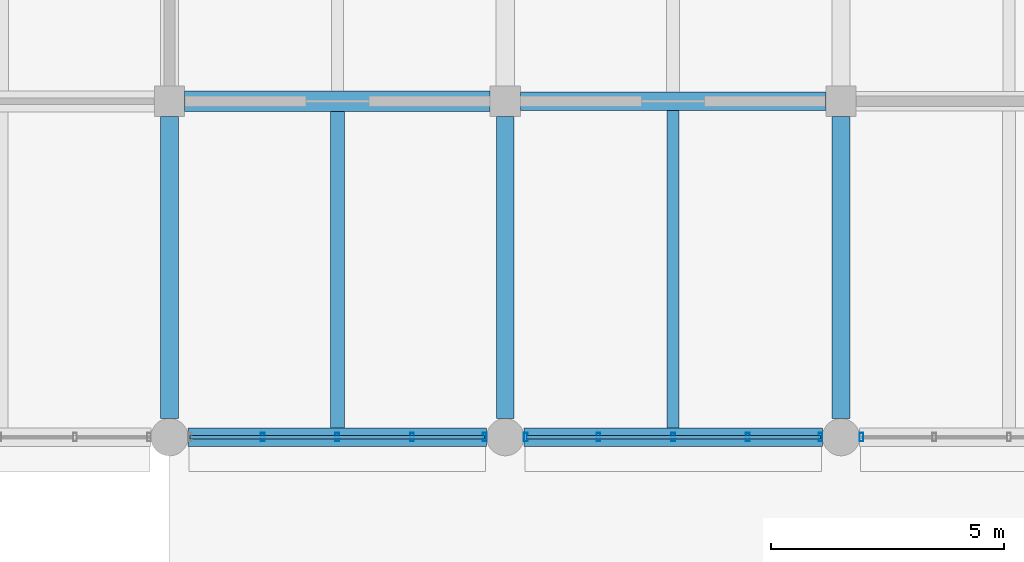
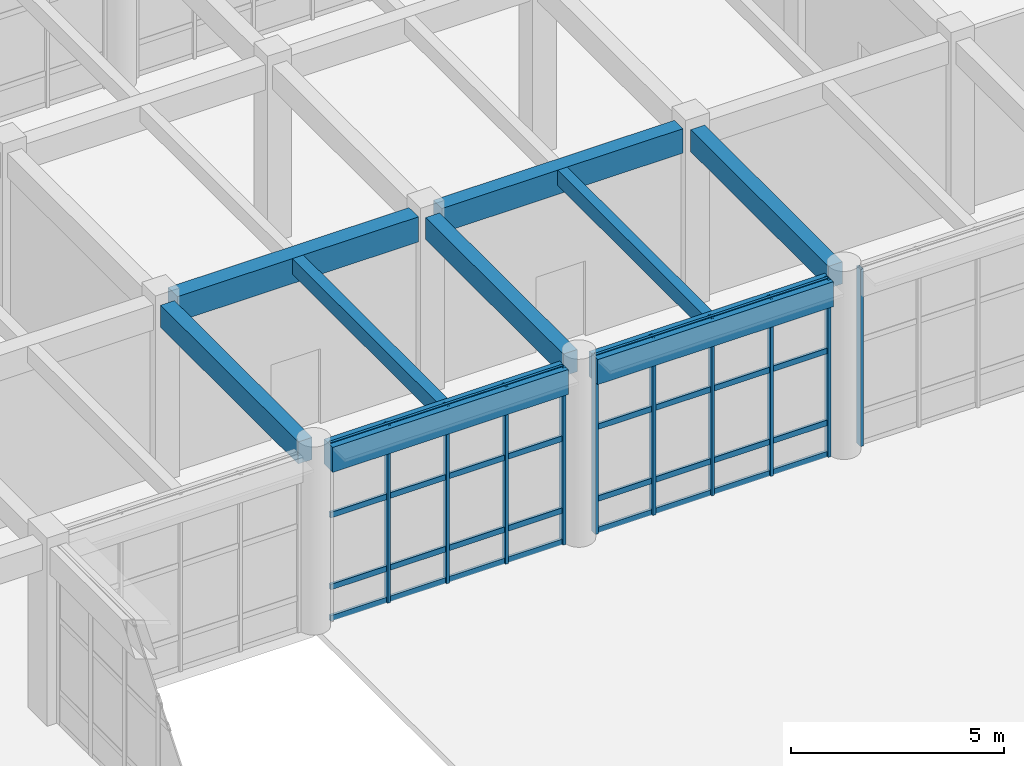
# One storey, part 26 of 160: 18 members, 9 beams, 3 elements without a shape of their own.
"""IFC4 building model written with IfcOpenShell, lengths in metres."""

from ifc_helpers import new_model, si_unit, direction, frame, origin, origin_2d, place, context, subcontext, project, spatial, rectangle, hollow_rectangle, extrude, material, material_profile, profile_set, type_object, element, aggregate, save


model = new_model("IFC4")

# Units and contexts
model_context = context("Model", 3, precision=1e-05, world=origin(), true_north=direction((0.0, 1.0)))
body_context = subcontext(model_context, "Body", "Model", "MODEL_VIEW")
ifc_project = project(units=[si_unit("LENGTHUNIT", "METRE"), si_unit("AREAUNIT", "SQUARE_METRE"), si_unit("VOLUMEUNIT", "CUBIC_METRE"), si_unit("PLANEANGLEUNIT", "RADIAN"), si_unit("MASSUNIT", "GRAM", prefix="KILO")], contexts=[model_context])

# Site, building, storey
site_placement = place(None, origin())
site = spatial("IfcSite", under=ifc_project, at=site_placement, CompositionType="ELEMENT")
building_placement = place(site_placement, origin())
building = spatial("IfcBuilding", under=site, at=building_placement, Name="Thalmaran Polytechnic", CompositionType="ELEMENT")
storey_placement = place(building_placement, origin())
storey = spatial("IfcBuildingStorey", under=building, at=storey_placement, Name="L00", CompositionType="ELEMENT", Elevation=0.0)

# Beams
ifc_material_1 = material(Name="Concrete C40/50", Category="concrete")
ifc_material_profile_1 = material_profile(ifc_material_1, rectangle(XDim=0.39990234375, YDim=0.699951171875, at=origin_2d()), Name="RC 400x700")
ifc_profile_set_1 = profile_set([ifc_material_profile_1], Name="Concrete C40/50")
beam_type_1 = type_object("IfcBeamType", Name="BM-RC05", PredefinedType="BEAM", material=ifc_profile_set_1)
beam_1_placement = place(storey_placement, frame((36.324951171875, 57.60009765625, 4.739990234375), z_axis=(1.0, 0.0, 0.0), x_axis=(0.0, 1.0, 0.0)))
element("IfcBeam", 1, at=beam_1_placement, inside=storey, type_object=beam_type_1, Name="Grid Beam B05 L00 X(5,8)", PredefinedType="BEAM", context=body_context, shape_type="SweptSolid", body=[
    extrude(rectangle(XDim=0.39990234375, YDim=0.699951171875, at=origin_2d()), origin(), (0.0, 0.0, 1.0), 6.550048828125),
])
ifc_material_profile_2 = material_profile(ifc_material_1, rectangle(XDim=0.300048828125, YDim=0.449951171875, at=origin_2d()), Name="RC 300x450")
ifc_profile_set_2 = profile_set([ifc_material_profile_2], Name="Concrete C40/50")
beam_type_2 = type_object("IfcBeamType", Name="BM-RC12", PredefinedType="JOIST", material=ifc_profile_set_2)
beam_2_placement = place(storey_placement, frame((32.39990234375, 50.60009765625, 4.864990234375), z_axis=(0.0, 1.0, 0.0), x_axis=(-1.0, 0.0, 0.0)))
element("IfcBeam", 2, at=beam_2_placement, inside=storey, type_object=beam_type_2, Name="Secondary Floor Rib RB02 L00 (4,7)", PredefinedType="JOIST", context=body_context, shape_type="SweptSolid", body=[
    extrude(rectangle(XDim=0.300048828125, YDim=0.449951171875, at=origin_2d()), origin(), (0.0, 0.0, 1.0), 6.77978515625),
])
ifc_material_profile_3 = material_profile(ifc_material_1, rectangle(XDim=0.39990234375, YDim=0.719970703125, at=origin_2d()), Name="RC 400x720")
ifc_profile_set_3 = profile_set([ifc_material_profile_3], Name="Concrete C40/50")
beam_type_3 = type_object("IfcBeamType", Name="BM-SP01", PredefinedType="SPANDREL", material=ifc_profile_set_3)
for number, where, z_axis, x_axis, name in (
    (3, (29.199951171875, 50.39990234375, 4.72998046875), (1.0, 0.0, 0.0), (0.0, 1.0, 0.0), "Grid Beam SP01 L00 X(4,7)"),
    (4, (36.39990234375, 50.39990234375, 4.72998046875), (1.0, 0.0, 0.0), (0.0, 1.0, 0.0), "Grid Beam SP01 L00 X(5,7)"),
):
    element("IfcBeam", number, at=place(storey_placement, frame(where, z_axis=z_axis, x_axis=x_axis)), inside=storey, type_object=beam_type_3, Name=name, PredefinedType="SPANDREL", context=body_context, shape_type="SweptSolid", body=[
        extrude(rectangle(XDim=0.39990234375, YDim=0.719970703125, at=origin_2d()), origin(), (0.0, 0.0, 1.0), 6.400146484375),
    ])
ifc_material_profile_4 = material_profile(ifc_material_1, rectangle(XDim=0.43994140625, YDim=0.719970703125, at=origin_2d()), Name="RC 440x720")
ifc_profile_set_4 = profile_set([ifc_material_profile_4], Name="Concrete C40/50")
beam_type_4 = type_object("IfcBeamType", Name="BM-ZB03", PredefinedType="BEAM", material=ifc_profile_set_4)
beam_3_placement = place(storey_placement, frame((29.125, 57.60009765625, 4.72998046875), z_axis=(1.0, 0.0, 0.0), x_axis=(0.0, 1.0, 0.0)))
element("IfcBeam", 5, at=beam_3_placement, inside=storey, type_object=beam_type_4, Name="Grid Beam ZB03 L00 X(4,8)", PredefinedType="BEAM", context=body_context, shape_type="SweptSolid", body=[
    extrude(rectangle(XDim=0.43994140625, YDim=0.719970703125, at=origin_2d()), origin(), (0.0, 0.0, 1.0), 6.550048828125),
])
ifc_material_profile_5 = material_profile(ifc_material_1, rectangle(XDim=0.3798828125, YDim=0.635009765625, at=origin_2d()), Name="RC 380x635")
ifc_profile_set_5 = profile_set([ifc_material_profile_5], Name="Concrete C40/50")
beam_type_5 = type_object("IfcBeamType", Name="BM-ZB06", PredefinedType="BEAM", material=ifc_profile_set_5)
for number, where, z_axis, x_axis, name in (
    (6, (28.800048828125, 50.800048828125, 4.7724609375), (0.0, 1.0, 0.0), (-1.0, 0.0, 0.0), "Grid Beam ZB06 L00 Y(4,7)"),
    (7, (36.0, 50.800048828125, 4.7724609375), (0.0, 1.0, 0.0), (-1.0, 0.0, 0.0), "Grid Beam ZB06 L00 Y(5,7)"),
    (8, (43.199951171875, 50.800048828125, 4.7724609375), (0.0, 1.0, 0.0), (-1.0, 0.0, 0.0), "Grid Beam ZB06 L00 Y(6,7)"),
):
    element("IfcBeam", number, at=place(storey_placement, frame(where, z_axis=z_axis, x_axis=x_axis)), inside=storey, type_object=beam_type_5, Name=name, PredefinedType="BEAM", context=body_context, shape_type="SweptSolid", body=[
        extrude(rectangle(XDim=0.3798828125, YDim=0.635009765625, at=origin_2d()), origin(), (0.0, 0.0, 1.0), 6.474853515625),
    ])
ifc_material_profile_6 = material_profile(ifc_material_1, rectangle(XDim=0.260009765625, YDim=0.43994140625, at=origin_2d()), Name="RC 260x440")
ifc_profile_set_6 = profile_set([ifc_material_profile_6], Name="Concrete C40/50")
beam_type_6 = type_object("IfcBeamType", Name="BM-ZJ02", PredefinedType="JOIST", material=ifc_profile_set_6)
beam_4_placement = place(storey_placement, frame((39.60009765625, 50.60009765625, 4.8701171875), z_axis=(0.0, 1.0, 0.0), x_axis=(-1.0, 0.0, 0.0)))
element("IfcBeam", 9, at=beam_4_placement, inside=storey, type_object=beam_type_6, Name="Secondary Floor Rib ZJ02 L00 (5,7)", PredefinedType="JOIST", context=body_context, shape_type="SweptSolid", body=[
    extrude(rectangle(XDim=0.260009765625, YDim=0.43994140625, at=origin_2d()), origin(), (0.0, 0.0, 1.0), 6.7998046875),
])

# Curtain wall, member
ifc_material_2 = material(Name="Aluminium 6063-T6", Category="aluminium")
curtain_wall_type = type_object("IfcCurtainWallType", Name="CW-SC01", PredefinedType="USERDEFINED", material=ifc_material_2)
curtain_wall_1_placement = place(storey_placement, origin())
curtain_wall_1 = element("IfcCurtainWall", 10, at=curtain_wall_1_placement, inside=storey, type_object=curtain_wall_type, Name="Curtain Wall CW-L00-041", ObjectType="STICK CURTAIN WALL", PredefinedType="USERDEFINED")
ifc_material_profile_7 = material_profile(ifc_material_2, hollow_rectangle(XDim=0.080078125, YDim=0.179931640625, WallThickness=0.0048828125, at=origin_2d()), Name="RHS 180x80x5.0")
ifc_profile_set_7 = profile_set([ifc_material_profile_7], Name="Aluminium 6063-T6")
member_type_1 = type_object("IfcMemberType", Name="CW-MUL1", PredefinedType="MULLION", material=ifc_profile_set_7)
member_1_placement = place(storey_placement, frame((43.639892578125, 50.39990234375, 0.0), z_axis=(0.0, 0.0, 1.0), x_axis=(1.0, 0.0, 0.0)))
member_1 = element("IfcMember", 11, at=member_1_placement, type_object=member_type_1, Name="CW-L00-041 Mullion 5", PredefinedType="MULLION", context=body_context, shape_type="SweptSolid", body=[
    extrude(hollow_rectangle(XDim=0.080078125, YDim=0.179931640625, WallThickness=0.0048828125, at=origin_2d()), origin(), (0.0, 0.0, 1.0), 5.090087890625),
])
aggregate(curtain_wall_1, [member_1])

# Curtain wall, members
curtain_wall_2_placement = place(storey_placement, origin())
curtain_wall_2 = element("IfcCurtainWall", 12, at=curtain_wall_2_placement, inside=storey, type_object=curtain_wall_type, Name="Curtain Wall CW-L00-042", ObjectType="STICK CURTAIN WALL", PredefinedType="USERDEFINED")
member_2_placement = place(storey_placement, frame((42.760009765625, 50.39990234375, 0.0), z_axis=(0.0, 0.0, 1.0), x_axis=(1.0, 0.0, 0.0)))
member_2 = element("IfcMember", 13, at=member_2_placement, type_object=member_type_1, Name="CW-L00-042 Mullion 1", PredefinedType="MULLION", context=body_context, shape_type="SweptSolid", body=[
    extrude(hollow_rectangle(XDim=0.080078125, YDim=0.179931640625, WallThickness=0.0048828125, at=origin_2d()), origin(), (0.0, 0.0, 1.0), 5.090087890625),
])
member_3_placement = place(storey_placement, frame((41.199951171875, 50.39990234375, 0.0), z_axis=(0.0, 0.0, 1.0), x_axis=(1.0, 0.0, 0.0)))
member_3 = element("IfcMember", 14, at=member_3_placement, type_object=member_type_1, Name="CW-L00-042 Mullion 2", PredefinedType="MULLION", context=body_context, shape_type="SweptSolid", body=[
    extrude(hollow_rectangle(XDim=0.080078125, YDim=0.179931640625, WallThickness=0.0048828125, at=origin_2d()), origin(), (0.0, 0.0, 1.0), 5.090087890625),
])
member_4_placement = place(storey_placement, frame((39.60009765625, 50.39990234375, 0.0), z_axis=(0.0, 0.0, 1.0), x_axis=(1.0, 0.0, 0.0)))
member_4 = element("IfcMember", 15, at=member_4_placement, type_object=member_type_1, Name="CW-L00-042 Mullion 3", PredefinedType="MULLION", context=body_context, shape_type="SweptSolid", body=[
    extrude(hollow_rectangle(XDim=0.080078125, YDim=0.179931640625, WallThickness=0.0048828125, at=origin_2d()), origin(), (0.0, 0.0, 1.0), 5.090087890625),
])
member_5_placement = place(storey_placement, frame((38.0, 50.39990234375, 0.0), z_axis=(0.0, 0.0, 1.0), x_axis=(1.0, 0.0, 0.0)))
member_5 = element("IfcMember", 16, at=member_5_placement, type_object=member_type_1, Name="CW-L00-042 Mullion 4", PredefinedType="MULLION", context=body_context, shape_type="SweptSolid", body=[
    extrude(hollow_rectangle(XDim=0.080078125, YDim=0.179931640625, WallThickness=0.0048828125, at=origin_2d()), origin(), (0.0, 0.0, 1.0), 5.090087890625),
])
member_6_placement = place(storey_placement, frame((36.43994140625, 50.39990234375, 0.0), z_axis=(0.0, 0.0, 1.0), x_axis=(1.0, 0.0, 0.0)))
member_6 = element("IfcMember", 17, at=member_6_placement, type_object=member_type_1, Name="CW-L00-042 Mullion 5", PredefinedType="MULLION", context=body_context, shape_type="SweptSolid", body=[
    extrude(hollow_rectangle(XDim=0.080078125, YDim=0.179931640625, WallThickness=0.0048828125, at=origin_2d()), origin(), (0.0, 0.0, 1.0), 5.090087890625),
])

curtain_wall_3_placement = place(storey_placement, origin())
curtain_wall_3 = element("IfcCurtainWall", 18, at=curtain_wall_3_placement, inside=storey, type_object=curtain_wall_type, Name="Curtain Wall CW-L00-043", ObjectType="STICK CURTAIN WALL", PredefinedType="USERDEFINED")
member_7_placement = place(storey_placement, frame((35.56005859375, 50.39990234375, 0.0), z_axis=(0.0, 0.0, 1.0), x_axis=(1.0, 0.0, 0.0)))
member_7 = element("IfcMember", 19, at=member_7_placement, type_object=member_type_1, Name="CW-L00-043 Mullion 1", PredefinedType="MULLION", context=body_context, shape_type="SweptSolid", body=[
    extrude(hollow_rectangle(XDim=0.080078125, YDim=0.179931640625, WallThickness=0.0048828125, at=origin_2d()), origin(), (0.0, 0.0, 1.0), 5.090087890625),
])
member_8_placement = place(storey_placement, frame((34.0, 50.39990234375, 0.0), z_axis=(0.0, 0.0, 1.0), x_axis=(1.0, 0.0, 0.0)))
member_8 = element("IfcMember", 20, at=member_8_placement, type_object=member_type_1, Name="CW-L00-043 Mullion 2", PredefinedType="MULLION", context=body_context, shape_type="SweptSolid", body=[
    extrude(hollow_rectangle(XDim=0.080078125, YDim=0.179931640625, WallThickness=0.0048828125, at=origin_2d()), origin(), (0.0, 0.0, 1.0), 5.090087890625),
])
member_9_placement = place(storey_placement, frame((32.39990234375, 50.39990234375, 0.0), z_axis=(0.0, 0.0, 1.0), x_axis=(1.0, 0.0, 0.0)))
member_9 = element("IfcMember", 21, at=member_9_placement, type_object=member_type_1, Name="CW-L00-043 Mullion 3", PredefinedType="MULLION", context=body_context, shape_type="SweptSolid", body=[
    extrude(hollow_rectangle(XDim=0.080078125, YDim=0.179931640625, WallThickness=0.0048828125, at=origin_2d()), origin(), (0.0, 0.0, 1.0), 5.090087890625),
])
member_10_placement = place(storey_placement, frame((30.800048828125, 50.39990234375, 0.0), z_axis=(0.0, 0.0, 1.0), x_axis=(1.0, 0.0, 0.0)))
member_10 = element("IfcMember", 22, at=member_10_placement, type_object=member_type_1, Name="CW-L00-043 Mullion 4", PredefinedType="MULLION", context=body_context, shape_type="SweptSolid", body=[
    extrude(hollow_rectangle(XDim=0.080078125, YDim=0.179931640625, WallThickness=0.0048828125, at=origin_2d()), origin(), (0.0, 0.0, 1.0), 5.090087890625),
])

# Member
ifc_material_profile_8 = material_profile(ifc_material_2, hollow_rectangle(XDim=0.070068359375, YDim=0.159912109375, WallThickness=0.00390625, at=origin_2d()), Name="AL 160x70x4.0")
ifc_profile_set_8 = profile_set([ifc_material_profile_8], Name="Aluminium 6063-T6")
member_type_2 = type_object("IfcMemberType", Name="CW-TRN1", PredefinedType="USERDEFINED", material=ifc_profile_set_8)
member_11_placement = place(storey_placement, frame((42.760009765625, 50.39990234375, 0.06005859375), z_axis=(-1.0, 0.0, 0.0), x_axis=(0.0, -1.0, 0.0)))
member_11 = element("IfcMember", 23, at=member_11_placement, type_object=member_type_2, Name="CW-L00-042 Transom 1", ObjectType="TRANSOM", PredefinedType="USERDEFINED", context=body_context, shape_type="SweptSolid", body=[
    extrude(hollow_rectangle(XDim=0.070068359375, YDim=0.159912109375, WallThickness=0.00390625, at=origin_2d()), origin(), (0.0, 0.0, 1.0), 6.320068359375),
])

member_12_placement = place(storey_placement, frame((42.760009765625, 50.39990234375, 0.9599609375), z_axis=(-1.0, 0.0, 0.0), x_axis=(0.0, -1.0, 0.0)))
member_12 = element("IfcMember", 24, at=member_12_placement, type_object=member_type_2, Name="CW-L00-042 Transom 2", ObjectType="TRANSOM", PredefinedType="USERDEFINED", context=body_context, shape_type="SweptSolid", body=[
    extrude(hollow_rectangle(XDim=0.070068359375, YDim=0.159912109375, WallThickness=0.00390625, at=origin_2d()), origin(), (0.0, 0.0, 1.0), 6.320068359375),
])

member_13_placement = place(storey_placement, frame((42.760009765625, 50.39990234375, 3.02490234375), z_axis=(-1.0, 0.0, 0.0), x_axis=(0.0, -1.0, 0.0)))
member_13 = element("IfcMember", 25, at=member_13_placement, type_object=member_type_2, Name="CW-L00-042 Transom 3", ObjectType="TRANSOM", PredefinedType="USERDEFINED", context=body_context, shape_type="SweptSolid", body=[
    extrude(hollow_rectangle(XDim=0.070068359375, YDim=0.159912109375, WallThickness=0.00390625, at=origin_2d()), origin(), (0.0, 0.0, 1.0), 6.320068359375),
])

member_14_placement = place(storey_placement, frame((42.760009765625, 50.39990234375, 5.030029296875), z_axis=(-1.0, 0.0, 0.0), x_axis=(0.0, -1.0, 0.0)))
member_14 = element("IfcMember", 26, at=member_14_placement, type_object=member_type_2, Name="CW-L00-042 Transom 4", ObjectType="TRANSOM", PredefinedType="USERDEFINED", context=body_context, shape_type="SweptSolid", body=[
    extrude(hollow_rectangle(XDim=0.070068359375, YDim=0.159912109375, WallThickness=0.00390625, at=origin_2d()), origin(), (0.0, 0.0, 1.0), 6.320068359375),
])

aggregate(curtain_wall_2, [member_2, member_3, member_4, member_5, member_6, member_11, member_12, member_13, member_14])

member_15_placement = place(storey_placement, frame((35.56005859375, 50.39990234375, 0.06005859375), z_axis=(-1.0, 0.0, 0.0), x_axis=(0.0, -1.0, 0.0)))
member_15 = element("IfcMember", 27, at=member_15_placement, type_object=member_type_2, Name="CW-L00-043 Transom 1", ObjectType="TRANSOM", PredefinedType="USERDEFINED", context=body_context, shape_type="SweptSolid", body=[
    extrude(hollow_rectangle(XDim=0.070068359375, YDim=0.159912109375, WallThickness=0.00390625, at=origin_2d()), origin(), (0.0, 0.0, 1.0), 6.320068359375),
])

member_16_placement = place(storey_placement, frame((35.56005859375, 50.39990234375, 0.9599609375), z_axis=(-1.0, 0.0, 0.0), x_axis=(0.0, -1.0, 0.0)))
member_16 = element("IfcMember", 28, at=member_16_placement, type_object=member_type_2, Name="CW-L00-043 Transom 2", ObjectType="TRANSOM", PredefinedType="USERDEFINED", context=body_context, shape_type="SweptSolid", body=[
    extrude(hollow_rectangle(XDim=0.070068359375, YDim=0.159912109375, WallThickness=0.00390625, at=origin_2d()), origin(), (0.0, 0.0, 1.0), 6.320068359375),
])

member_17_placement = place(storey_placement, frame((35.56005859375, 50.39990234375, 3.02490234375), z_axis=(-1.0, 0.0, 0.0), x_axis=(0.0, -1.0, 0.0)))
member_17 = element("IfcMember", 29, at=member_17_placement, type_object=member_type_2, Name="CW-L00-043 Transom 3", ObjectType="TRANSOM", PredefinedType="USERDEFINED", context=body_context, shape_type="SweptSolid", body=[
    extrude(hollow_rectangle(XDim=0.070068359375, YDim=0.159912109375, WallThickness=0.00390625, at=origin_2d()), origin(), (0.0, 0.0, 1.0), 6.320068359375),
])

member_18_placement = place(storey_placement, frame((35.56005859375, 50.39990234375, 5.030029296875), z_axis=(-1.0, 0.0, 0.0), x_axis=(0.0, -1.0, 0.0)))
member_18 = element("IfcMember", 30, at=member_18_placement, type_object=member_type_2, Name="CW-L00-043 Transom 4", ObjectType="TRANSOM", PredefinedType="USERDEFINED", context=body_context, shape_type="SweptSolid", body=[
    extrude(hollow_rectangle(XDim=0.070068359375, YDim=0.159912109375, WallThickness=0.00390625, at=origin_2d()), origin(), (0.0, 0.0, 1.0), 6.320068359375),
])

aggregate(curtain_wall_3, [member_7, member_8, member_9, member_10, member_15, member_16, member_17, member_18])

save(model, "model.ifc")
